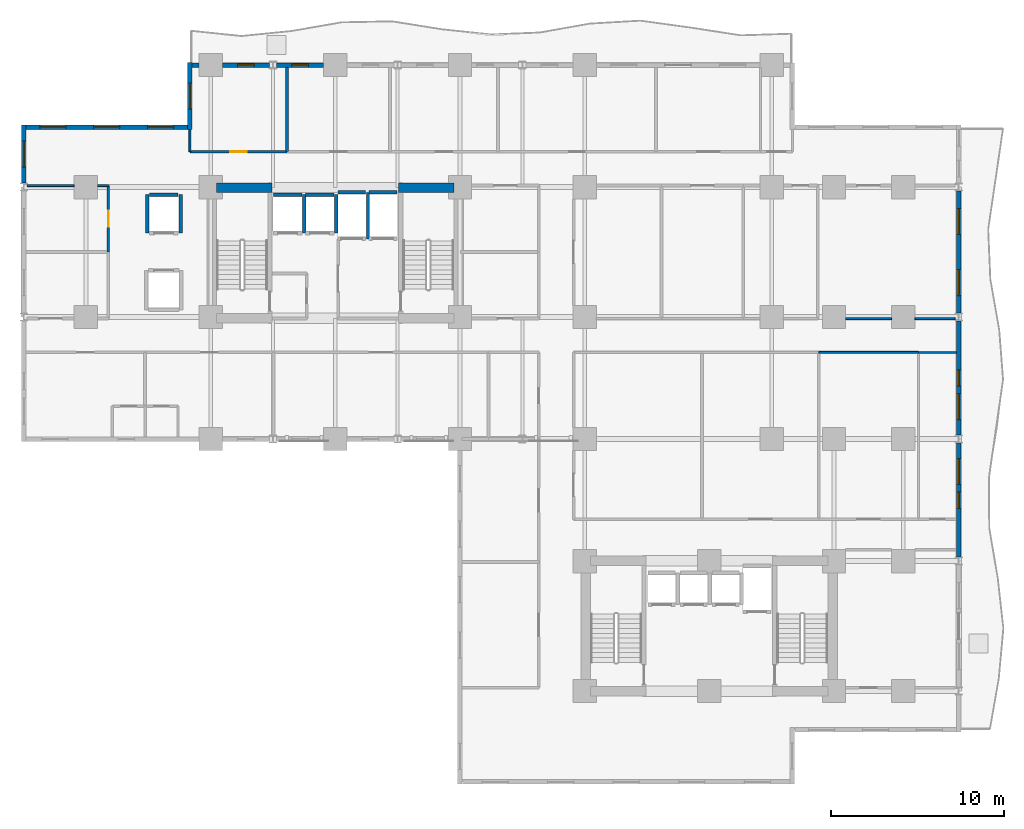
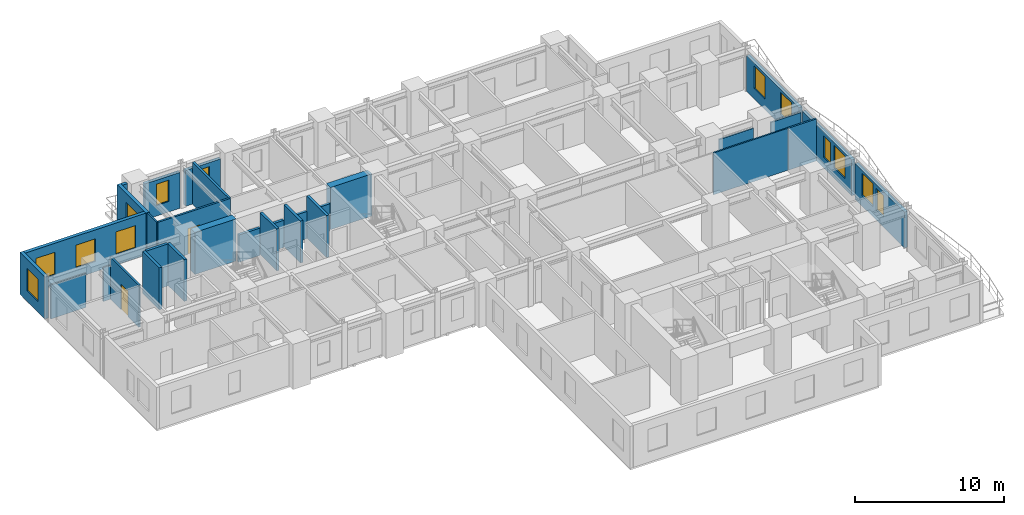
# One storey, part 6 of 11: 31 walls, 13 windows, 2 doors, 15 openings.
"""IFC4 building model written with IfcOpenShell, lengths in metres."""

from ifc_helpers import new_model, si_unit, direction, frame, frame_2d, origin, place, context, subcontext, project, spatial, rectangle, extrude, material, layer, layer_set, type_object, element, fill, save


model = new_model("IFC4")

# Units and contexts
model_context = context("Model", 3, precision=1e-05, world=origin(), true_north=direction((0.0, 1.0)))
body_context = subcontext(model_context, "Body", "Model", "MODEL_VIEW")
ifc_project = project(units=[si_unit("LENGTHUNIT", "METRE"), si_unit("AREAUNIT", "SQUARE_METRE"), si_unit("VOLUMEUNIT", "CUBIC_METRE"), si_unit("PLANEANGLEUNIT", "RADIAN"), si_unit("MASSUNIT", "GRAM", prefix="KILO")], contexts=[model_context])

# Site, building, storey
site_placement = place(None, origin())
site = spatial("IfcSite", under=ifc_project, at=site_placement, CompositionType="ELEMENT")
building_placement = place(site_placement, origin())
building = spatial("IfcBuilding", under=site, at=building_placement, Name="Kaliganga Portal Commons", CompositionType="ELEMENT")
storey_placement = place(building_placement, frame((0.0, 0.0, 51.199951171875)))
storey = spatial("IfcBuildingStorey", under=building, at=storey_placement, Name="L12", CompositionType="ELEMENT", Elevation=51.199951171875)

# Walls
ifc_material_1 = material(Name="Concrete C60/75", Category="concrete")
ifc_layer_1 = layer(ifc_material_1, 0.550048828125)
ifc_layer_set_1 = layer_set([ifc_layer_1], Name="Concrete C60/75")
wall_type_1 = type_object("IfcWallType", Name="WL-CORE-550", PredefinedType="SHEAR", material=ifc_layer_set_1)
for number, where, z_axis, x_axis, name in (
    (1, (14.75, 36.125, 0.0), (0.0, 0.0, 1.0), (1.0, 0.0, 0.0), "Core A N-West Shear Wall L12"),
    (2, (25.25, 36.125, 0.0), (0.0, 0.0, 1.0), (1.0, 0.0, 0.0), "Core A N-East Shear Wall L12"),
):
    element("IfcWall", number, at=place(storey_placement, frame(where, z_axis=z_axis, x_axis=x_axis)), inside=storey, type_object=wall_type_1, Name=name, PredefinedType="SHEAR", context=body_context, shape_type="SweptSolid", body=[
        extrude(rectangle(XDim=3.199951171875, YDim=0.550048828125, at=frame_2d((1.60009765625, 0.0))), origin(), (0.0, 0.0, 1.0), 3.449951171875),
    ])

# Wall, openings, windows
ifc_material_2 = material(Name="Insulated Aluminium-Clad Spandrel Assembly", Category="aluminium")
ifc_layer_2 = layer(ifc_material_2, 0.260009765625)
ifc_layer_set_2 = layer_set([ifc_layer_2], Name="Insulated Aluminium-Clad Spandrel Assembly")
wall_type_2 = type_object("IfcWallType", Name="WL-EXT-SPAND-260", PredefinedType="STANDARD", material=ifc_layer_set_2)
wall_1_placement = place(storey_placement, frame((57.60009765625, 21.3759765625, 0.0), z_axis=(0.0, 0.0, 1.0), x_axis=(0.0, -1.0, 0.0)))
wall_1 = element("IfcWall", 3, at=wall_1_placement, inside=storey, type_object=wall_type_2, Name="Exterior Envelope Wall L12 P1-E03-S3", PredefinedType="STANDARD", context=body_context, shape_type="SweptSolid", body=[
    extrude(rectangle(XDim=6.60205078125, YDim=0.260009765625, at=frame_2d((3.301025390625, 0.0))), origin(), (0.0, 0.0, 1.0), 2.929931640625),
])
opening_1_placement = place(wall_1_placement, frame((0.900390625, 0.0, 0.85009765625)))
opening_1 = element("IfcOpeningElement", 4, at=opening_1_placement, cuts=wall_1, Name="Opening W-02", PredefinedType="OPENING", context=body_context, shape_type="SweptSolid", body=[
    extrude(rectangle(XDim=1.5, YDim=1.85009765625, at=frame_2d((0.75, 0.925048828125))), frame((0.0, 0.14013671875, 0.0), z_axis=(0.0, -1.0, 0.0), x_axis=(1.0, 0.0, 0.0)), (0.0, 0.0, 1.0), 0.280029296875),
])
opening_2_placement = place(wall_1_placement, frame((2.825927734375, 0.0, 0.85009765625)))
opening_2 = element("IfcOpeningElement", 5, at=opening_2_placement, cuts=wall_1, Name="Opening W-04", PredefinedType="OPENING", context=body_context, shape_type="SweptSolid", body=[
    extrude(rectangle(XDim=0.949951171875, YDim=1.75, at=frame_2d((0.47509765625, 0.875))), frame((0.0, 0.14013671875, 0.0), z_axis=(0.0, -1.0, 0.0), x_axis=(1.0, 0.0, 0.0)), (0.0, 0.0, 1.0), 0.280029296875),
])
ifc_material_3 = material(Name="Thermally Broken Aluminium and Low-E Double Glazing", Category="aluminium")
window_type_1 = type_object("IfcWindowType", Name="WIN-NARROW-950", PartitioningType="SINGLE_PANEL", PredefinedType="WINDOW", material=ifc_material_3)
window_1_placement = place(opening_2_placement, origin())
window_1 = element("IfcWindow", 6, at=window_1_placement, inside=storey, type_object=window_type_1, Name="Facade Window L12-P1E03S3-N0", OverallHeight=1.75, OverallWidth=0.949951171875, PartitioningType="SINGLE_PANEL", PredefinedType="WINDOW", context=body_context, shape_type="SweptSolid", body=[
    extrude(rectangle(XDim=0.949951171875, YDim=1.75, at=frame_2d((0.47509765625, 0.875))), frame((0.0, 0.030029296875, 0.0), z_axis=(0.0, -1.0, 0.0), x_axis=(1.0, 0.0, 0.0)), (0.0, 0.0, 1.0), 0.06005859375),
])
fill(opening_2, window_1)
window_type_2 = type_object("IfcWindowType", Name="WIN-STD-1500", PartitioningType="DOUBLE_PANEL_VERTICAL", PredefinedType="WINDOW", material=ifc_material_3)
window_2_placement = place(opening_1_placement, origin())
window_2 = element("IfcWindow", 7, at=window_2_placement, inside=storey, type_object=window_type_2, Name="Facade Window L12-P1E03S3-00", OverallHeight=1.85009765625, OverallWidth=1.5, PartitioningType="SINGLE_PANEL", PredefinedType="WINDOW", context=body_context, shape_type="SweptSolid", body=[
    extrude(rectangle(XDim=1.5, YDim=1.85009765625, at=frame_2d((0.75, 0.925048828125))), frame((0.0, 0.030029296875, 0.0), z_axis=(0.0, -1.0, 0.0), x_axis=(1.0, 0.0, 0.0)), (0.0, 0.0, 1.0), 0.06005859375),
])
fill(opening_1, window_2)

wall_2_placement = place(storey_placement, frame((57.60009765625, 28.426025390625, 0.0), z_axis=(0.0, 0.0, 1.0), x_axis=(0.0, -1.0, 0.0)))
wall_2 = element("IfcWall", 8, at=wall_2_placement, inside=storey, type_object=wall_type_2, Name="Exterior Envelope Wall L12 P1-E03-S4", PredefinedType="STANDARD", context=body_context, shape_type="SweptSolid", body=[
    extrude(rectangle(XDim=6.60205078125, YDim=0.260009765625, at=frame_2d((3.301025390625, 0.0))), origin(), (0.0, 0.0, 1.0), 2.929931640625),
])
opening_3_placement = place(wall_2_placement, frame((4.201416015625, 0.0, 0.85009765625)))
opening_3 = element("IfcOpeningElement", 9, at=opening_3_placement, cuts=wall_2, Name="Opening W-02", PredefinedType="OPENING", context=body_context, shape_type="SweptSolid", body=[
    extrude(rectangle(XDim=1.5, YDim=1.85009765625, at=frame_2d((0.75, 0.925048828125))), frame((0.0, 0.14013671875, 0.0), z_axis=(0.0, -1.0, 0.0), x_axis=(1.0, 0.0, 0.0)), (0.0, 0.0, 1.0), 0.280029296875),
])
opening_4_placement = place(wall_2_placement, frame((2.825927734375, 0.0, 0.85009765625)))
opening_4 = element("IfcOpeningElement", 10, at=opening_4_placement, cuts=wall_2, Name="Opening W-04", PredefinedType="OPENING", context=body_context, shape_type="SweptSolid", body=[
    extrude(rectangle(XDim=0.949951171875, YDim=1.75, at=frame_2d((0.47509765625, 0.875))), frame((0.0, 0.14013671875, 0.0), z_axis=(0.0, -1.0, 0.0), x_axis=(1.0, 0.0, 0.0)), (0.0, 0.0, 1.0), 0.280029296875),
])
window_3_placement = place(opening_4_placement, origin())
window_3 = element("IfcWindow", 11, at=window_3_placement, inside=storey, type_object=window_type_1, Name="Facade Window L12-P1E03S4-N0", OverallHeight=1.75, OverallWidth=0.949951171875, PartitioningType="SINGLE_PANEL", PredefinedType="WINDOW", context=body_context, shape_type="SweptSolid", body=[
    extrude(rectangle(XDim=0.949951171875, YDim=1.75, at=frame_2d((0.47509765625, 0.875))), frame((0.0, 0.030029296875, 0.0), z_axis=(0.0, -1.0, 0.0), x_axis=(1.0, 0.0, 0.0)), (0.0, 0.0, 1.0), 0.06005859375),
])
fill(opening_4, window_3)
window_4_placement = place(opening_3_placement, origin())
window_4 = element("IfcWindow", 12, at=window_4_placement, inside=storey, type_object=window_type_2, Name="Facade Window L12-P1E03S4-01", OverallHeight=1.85009765625, OverallWidth=1.5, PartitioningType="SINGLE_PANEL", PredefinedType="WINDOW", context=body_context, shape_type="SweptSolid", body=[
    extrude(rectangle(XDim=1.5, YDim=1.85009765625, at=frame_2d((0.75, 0.925048828125))), frame((0.0, 0.030029296875, 0.0), z_axis=(0.0, -1.0, 0.0), x_axis=(1.0, 0.0, 0.0)), (0.0, 0.0, 1.0), 0.06005859375),
])
fill(opening_3, window_4)

wall_3_placement = place(storey_placement, frame((57.60009765625, 35.926025390625, 0.0), z_axis=(0.0, 0.0, 1.0), x_axis=(0.0, -1.0, 0.0)))
wall_3 = element("IfcWall", 13, at=wall_3_placement, inside=storey, type_object=wall_type_2, Name="Exterior Envelope Wall L12 P1-E03-S5", PredefinedType="STANDARD", context=body_context, shape_type="SweptSolid", body=[
    extrude(rectangle(XDim=7.052001953125, YDim=0.260009765625, at=frame_2d((3.52587890625, 0.0))), origin(), (0.0, 0.0, 1.0), 2.929931640625),
])
opening_5_placement = place(wall_3_placement, frame((1.012939453125, 0.0, 0.85009765625)))
opening_5 = element("IfcOpeningElement", 14, at=opening_5_placement, cuts=wall_3, Name="Opening W-02", PredefinedType="OPENING", context=body_context, shape_type="SweptSolid", body=[
    extrude(rectangle(XDim=1.5, YDim=1.85009765625, at=frame_2d((0.75, 0.925048828125))), frame((0.0, 0.14013671875, 0.0), z_axis=(0.0, -1.0, 0.0), x_axis=(1.0, 0.0, 0.0)), (0.0, 0.0, 1.0), 0.280029296875),
])
opening_6_placement = place(wall_3_placement, frame((4.5390625, 0.0, 0.85009765625)))
opening_6 = element("IfcOpeningElement", 15, at=opening_6_placement, cuts=wall_3, Name="Opening W-02", PredefinedType="OPENING", context=body_context, shape_type="SweptSolid", body=[
    extrude(rectangle(XDim=1.5, YDim=1.85009765625, at=frame_2d((0.75, 0.925048828125))), frame((0.0, 0.14013671875, 0.0), z_axis=(0.0, -1.0, 0.0), x_axis=(1.0, 0.0, 0.0)), (0.0, 0.0, 1.0), 0.280029296875),
])
window_5_placement = place(opening_5_placement, origin())
window_5 = element("IfcWindow", 16, at=window_5_placement, inside=storey, type_object=window_type_2, Name="Facade Window L12-P1E03S5-00", OverallHeight=1.85009765625, OverallWidth=1.5, PartitioningType="SINGLE_PANEL", PredefinedType="WINDOW", context=body_context, shape_type="SweptSolid", body=[
    extrude(rectangle(XDim=1.5, YDim=1.85009765625, at=frame_2d((0.75, 0.925048828125))), frame((0.0, 0.030029296875, 0.0), z_axis=(0.0, -1.0, 0.0), x_axis=(1.0, 0.0, 0.0)), (0.0, 0.0, 1.0), 0.06005859375),
])
fill(opening_5, window_5)
window_6_placement = place(opening_6_placement, origin())
window_6 = element("IfcWindow", 17, at=window_6_placement, inside=storey, type_object=window_type_2, Name="Facade Window L12-P1E03S5-01", OverallHeight=1.85009765625, OverallWidth=1.5, PartitioningType="SINGLE_PANEL", PredefinedType="WINDOW", context=body_context, shape_type="SweptSolid", body=[
    extrude(rectangle(XDim=1.5, YDim=1.85009765625, at=frame_2d((0.75, 0.925048828125))), frame((0.0, 0.030029296875, 0.0), z_axis=(0.0, -1.0, 0.0), x_axis=(1.0, 0.0, 0.0)), (0.0, 0.0, 1.0), 0.06005859375),
])
fill(opening_6, window_6)

# Wall, opening, window
wall_4_placement = place(storey_placement, frame((18.208984375, 43.199951171875, 0.0), z_axis=(0.0, 0.0, 1.0), x_axis=(1.0, 0.0, 0.0)))
wall_4 = element("IfcWall", 18, at=wall_4_placement, inside=storey, type_object=wall_type_2, Name="Exterior Envelope Wall L12 P1-E06-S7", PredefinedType="STANDARD", context=body_context, shape_type="SweptSolid", body=[
    extrude(rectangle(XDim=2.715087890625, YDim=0.260009765625, at=frame_2d((1.357421875, 0.0))), origin(), (0.0, 0.0, 1.0), 2.929931640625),
])
opening_7_placement = place(wall_4_placement, frame((0.882568359375, 0.0, 0.85009765625)))
opening_7 = element("IfcOpeningElement", 19, at=opening_7_placement, cuts=wall_4, Name="Opening W-04", PredefinedType="OPENING", context=body_context, shape_type="SweptSolid", body=[
    extrude(rectangle(XDim=0.949951171875, YDim=1.75, at=frame_2d((0.47509765625, 0.875))), frame((0.0, 0.14013671875, 0.0), z_axis=(0.0, -1.0, 0.0), x_axis=(1.0, 0.0, 0.0)), (0.0, 0.0, 1.0), 0.280029296875),
])
window_7_placement = place(opening_7_placement, origin())
window_7 = element("IfcWindow", 20, at=window_7_placement, inside=storey, type_object=window_type_1, Name="Facade Window L12-P1E06S7-00", OverallHeight=1.75, OverallWidth=0.949951171875, PartitioningType="SINGLE_PANEL", PredefinedType="WINDOW", context=body_context, shape_type="SweptSolid", body=[
    extrude(rectangle(XDim=0.949951171875, YDim=1.75, at=frame_2d((0.47509765625, 0.875))), frame((0.0, 0.030029296875, 0.0), z_axis=(0.0, -1.0, 0.0), x_axis=(1.0, 0.0, 0.0)), (0.0, 0.0, 1.0), 0.06005859375),
])
fill(opening_7, window_7)

wall_5_placement = place(storey_placement, frame((15.075927734375, 43.199951171875, 0.0), z_axis=(0.0, 0.0, 1.0), x_axis=(1.0, 0.0, 0.0)))
wall_5 = element("IfcWall", 21, at=wall_5_placement, inside=storey, type_object=wall_type_2, Name="Exterior Envelope Wall L12 P1-E06-S8", PredefinedType="STANDARD", context=body_context, shape_type="SweptSolid", body=[
    extrude(rectangle(XDim=2.715087890625, YDim=0.260009765625, at=frame_2d((1.357421875, 0.0))), origin(), (0.0, 0.0, 1.0), 2.929931640625),
])
opening_8_placement = place(wall_5_placement, frame((0.882568359375, 0.0, 0.85009765625)))
opening_8 = element("IfcOpeningElement", 22, at=opening_8_placement, cuts=wall_5, Name="Opening W-04", PredefinedType="OPENING", context=body_context, shape_type="SweptSolid", body=[
    extrude(rectangle(XDim=0.949951171875, YDim=1.75, at=frame_2d((0.47509765625, 0.875))), frame((0.0, 0.14013671875, 0.0), z_axis=(0.0, -1.0, 0.0), x_axis=(1.0, 0.0, 0.0)), (0.0, 0.0, 1.0), 0.280029296875),
])
window_8_placement = place(opening_8_placement, origin())
window_8 = element("IfcWindow", 23, at=window_8_placement, inside=storey, type_object=window_type_1, Name="Facade Window L12-P1E06S8-00", OverallHeight=1.75, OverallWidth=0.949951171875, PartitioningType="SINGLE_PANEL", PredefinedType="WINDOW", context=body_context, shape_type="SweptSolid", body=[
    extrude(rectangle(XDim=0.949951171875, YDim=1.75, at=frame_2d((0.47509765625, 0.875))), frame((0.0, 0.030029296875, 0.0), z_axis=(0.0, -1.0, 0.0), x_axis=(1.0, 0.0, 0.0)), (0.0, 0.0, 1.0), 0.06005859375),
])
fill(opening_8, window_8)

# Wall
wall_6_placement = place(storey_placement, frame((13.3349609375, 43.199951171875, 0.0), z_axis=(0.0, 0.0, 1.0), x_axis=(1.0, 0.0, 0.0)))
element("IfcWall", 24, at=wall_6_placement, inside=storey, type_object=wall_type_2, Name="Exterior Envelope Wall L12 P1-E06-S9", PredefinedType="STANDARD", context=body_context, shape_type="SweptSolid", body=[
    extrude(rectangle(XDim=0.38916015625, YDim=0.260009765625, at=frame_2d((0.194580078125, 0.0))), origin(), (0.0, 0.0, 1.0), 3.429931640625),
])

# Wall, opening, window
wall_7_placement = place(storey_placement, frame((13.199951171875, 39.469970703125, 0.0), z_axis=(0.0, 0.0, 1.0), x_axis=(0.0, 1.0, 0.0)))
wall_7 = element("IfcWall", 25, at=wall_7_placement, inside=storey, type_object=wall_type_2, Name="Exterior Envelope Wall L12 P1-E07-S1", PredefinedType="STANDARD", context=body_context, shape_type="SweptSolid", body=[
    extrude(rectangle(XDim=3.860107421875, YDim=0.260009765625, at=frame_2d((1.93017578125, 0.0))), origin(), (0.0, 0.0, 1.0), 3.429931640625),
])
opening_9_placement = place(wall_7_placement, frame((1.179931640625, 0.0, 0.85009765625)))
opening_9 = element("IfcOpeningElement", 26, at=opening_9_placement, cuts=wall_7, Name="Opening W-02", PredefinedType="OPENING", context=body_context, shape_type="SweptSolid", body=[
    extrude(rectangle(XDim=1.5, YDim=1.85009765625, at=frame_2d((0.75, 0.925048828125))), frame((0.0, 0.14013671875, 0.0), z_axis=(0.0, -1.0, 0.0), x_axis=(1.0, 0.0, 0.0)), (0.0, 0.0, 1.0), 0.280029296875),
])
window_9_placement = place(opening_9_placement, origin())
window_9 = element("IfcWindow", 27, at=window_9_placement, inside=storey, type_object=window_type_2, Name="Facade Window L12-P1E07S1-00", OverallHeight=1.85009765625, OverallWidth=1.5, PartitioningType="SINGLE_PANEL", PredefinedType="WINDOW", context=body_context, shape_type="SweptSolid", body=[
    extrude(rectangle(XDim=1.5, YDim=1.85009765625, at=frame_2d((0.75, 0.925048828125))), frame((0.0, 0.030029296875, 0.0), z_axis=(0.0, -1.0, 0.0), x_axis=(1.0, 0.0, 0.0)), (0.0, 0.0, 1.0), 0.06005859375),
])
fill(opening_9, window_9)

# Wall, openings, windows
wall_8_placement = place(storey_placement, frame((3.735107421875, 39.60009765625, 0.0), z_axis=(0.0, 0.0, 1.0), x_axis=(1.0, 0.0, 0.0)))
wall_8 = element("IfcWall", 28, at=wall_8_placement, inside=storey, type_object=wall_type_2, Name="Exterior Envelope Wall L12 P1-E08-S1", PredefinedType="STANDARD", context=body_context, shape_type="SweptSolid", body=[
    extrude(rectangle(XDim=9.329833984375, YDim=0.260009765625, at=frame_2d((4.6650390625, 0.0))), origin(), (0.0, 0.0, 1.0), 3.429931640625),
])
opening_10_placement = place(wall_8_placement, frame((0.804931640625, 0.0, 0.85009765625)))
opening_10 = element("IfcOpeningElement", 29, at=opening_10_placement, cuts=wall_8, Name="Opening W-02", PredefinedType="OPENING", context=body_context, shape_type="SweptSolid", body=[
    extrude(rectangle(XDim=1.5, YDim=1.85009765625, at=frame_2d((0.75, 0.925048828125))), frame((0.0, 0.14013671875, 0.0), z_axis=(0.0, -1.0, 0.0), x_axis=(1.0, 0.0, 0.0)), (0.0, 0.0, 1.0), 0.280029296875),
])
opening_11_placement = place(wall_8_placement, frame((3.9150390625, 0.0, 0.85009765625)))
opening_11 = element("IfcOpeningElement", 30, at=opening_11_placement, cuts=wall_8, Name="Opening W-02", PredefinedType="OPENING", context=body_context, shape_type="SweptSolid", body=[
    extrude(rectangle(XDim=1.5, YDim=1.85009765625, at=frame_2d((0.75, 0.925048828125))), frame((0.0, 0.14013671875, 0.0), z_axis=(0.0, -1.0, 0.0), x_axis=(1.0, 0.0, 0.0)), (0.0, 0.0, 1.0), 0.280029296875),
])
opening_12_placement = place(wall_8_placement, frame((7.02490234375, 0.0, 0.85009765625)))
opening_12 = element("IfcOpeningElement", 31, at=opening_12_placement, cuts=wall_8, Name="Opening W-02", PredefinedType="OPENING", context=body_context, shape_type="SweptSolid", body=[
    extrude(rectangle(XDim=1.5, YDim=1.85009765625, at=frame_2d((0.75, 0.925048828125))), frame((0.0, 0.14013671875, 0.0), z_axis=(0.0, -1.0, 0.0), x_axis=(1.0, 0.0, 0.0)), (0.0, 0.0, 1.0), 0.280029296875),
])
window_10_placement = place(opening_10_placement, origin())
window_10 = element("IfcWindow", 32, at=window_10_placement, inside=storey, type_object=window_type_2, Name="Facade Window L12-P1E08S1-00", OverallHeight=1.85009765625, OverallWidth=1.5, PartitioningType="SINGLE_PANEL", PredefinedType="WINDOW", context=body_context, shape_type="SweptSolid", body=[
    extrude(rectangle(XDim=1.5, YDim=1.85009765625, at=frame_2d((0.75, 0.925048828125))), frame((0.0, 0.030029296875, 0.0), z_axis=(0.0, -1.0, 0.0), x_axis=(1.0, 0.0, 0.0)), (0.0, 0.0, 1.0), 0.06005859375),
])
fill(opening_10, window_10)
window_11_placement = place(opening_11_placement, origin())
window_11 = element("IfcWindow", 33, at=window_11_placement, inside=storey, type_object=window_type_2, Name="Facade Window L12-P1E08S1-01", OverallHeight=1.85009765625, OverallWidth=1.5, PartitioningType="SINGLE_PANEL", PredefinedType="WINDOW", context=body_context, shape_type="SweptSolid", body=[
    extrude(rectangle(XDim=1.5, YDim=1.85009765625, at=frame_2d((0.75, 0.925048828125))), frame((0.0, 0.030029296875, 0.0), z_axis=(0.0, -1.0, 0.0), x_axis=(1.0, 0.0, 0.0)), (0.0, 0.0, 1.0), 0.06005859375),
])
fill(opening_11, window_11)
window_12_placement = place(opening_12_placement, origin())
window_12 = element("IfcWindow", 34, at=window_12_placement, inside=storey, type_object=window_type_2, Name="Facade Window L12-P1E08S1-02", OverallHeight=1.85009765625, OverallWidth=1.5, PartitioningType="SINGLE_PANEL", PredefinedType="WINDOW", context=body_context, shape_type="SweptSolid", body=[
    extrude(rectangle(XDim=1.5, YDim=1.85009765625, at=frame_2d((0.75, 0.925048828125))), frame((0.0, 0.030029296875, 0.0), z_axis=(0.0, -1.0, 0.0), x_axis=(1.0, 0.0, 0.0)), (0.0, 0.0, 1.0), 0.06005859375),
])
fill(opening_12, window_12)

# Wall, opening, window
wall_9_placement = place(storey_placement, frame((3.60009765625, 36.3740234375, 0.0), z_axis=(0.0, 0.0, 1.0), x_axis=(0.0, 1.0, 0.0)))
wall_9 = element("IfcWall", 35, at=wall_9_placement, inside=storey, type_object=wall_type_2, Name="Exterior Envelope Wall L12 P1-E09-S1", PredefinedType="STANDARD", context=body_context, shape_type="SweptSolid", body=[
    extrude(rectangle(XDim=3.35595703125, YDim=0.260009765625, at=frame_2d((1.677978515625, 0.0))), origin(), (0.0, 0.0, 1.0), 3.429931640625),
])
opening_13_placement = place(wall_9_placement, frame((0.927978515625, 0.0, 0.85009765625)))
opening_13 = element("IfcOpeningElement", 36, at=opening_13_placement, cuts=wall_9, Name="Opening W-02", PredefinedType="OPENING", context=body_context, shape_type="SweptSolid", body=[
    extrude(rectangle(XDim=1.5, YDim=1.85009765625, at=frame_2d((0.75, 0.925048828125))), frame((0.0, 0.14013671875, 0.0), z_axis=(0.0, -1.0, 0.0), x_axis=(1.0, 0.0, 0.0)), (0.0, 0.0, 1.0), 0.280029296875),
])
window_13_placement = place(opening_13_placement, origin())
window_13 = element("IfcWindow", 37, at=window_13_placement, inside=storey, type_object=window_type_2, Name="Facade Window L12-P1E09S1-00", OverallHeight=1.85009765625, OverallWidth=1.5, PartitioningType="SINGLE_PANEL", PredefinedType="WINDOW", context=body_context, shape_type="SweptSolid", body=[
    extrude(rectangle(XDim=1.5, YDim=1.85009765625, at=frame_2d((0.75, 0.925048828125))), frame((0.0, 0.030029296875, 0.0), z_axis=(0.0, -1.0, 0.0), x_axis=(1.0, 0.0, 0.0)), (0.0, 0.0, 1.0), 0.06005859375),
])
fill(opening_13, window_13)

# Wall, opening, door
ifc_material_4 = material(Name="Fire-Rated Gypsum Board on Steel Stud", Category="steel")
ifc_layer_3 = layer(ifc_material_4, 0.14990234375)
ifc_layer_set_3 = layer_set([ifc_layer_3], Name="Fire-Rated Gypsum Board on Steel Stud")
wall_type_3 = type_object("IfcWallType", Name="WL-PART-CORR-150", PredefinedType="PARTITIONING", material=ifc_layer_set_3)
wall_10_placement = place(storey_placement, frame((13.199951171875, 38.199951171875, 0.0), z_axis=(0.0, 0.0, 1.0), x_axis=(1.0, 0.0, 0.0)))
wall_10 = element("IfcWall", 38, at=wall_10_placement, inside=storey, type_object=wall_type_3, Name="Interior Partition L12-027", PredefinedType="PARTITIONING", context=body_context, shape_type="SweptSolid", body=[
    extrude(rectangle(XDim=5.6201171875, YDim=0.14990234375, at=frame_2d((2.81005859375, 0.0))), origin(), (0.0, 0.0, 1.0), 3.429931640625),
])
opening_14_placement = place(wall_10_placement, frame((2.3349609375, 0.0, 0.0)))
opening_14 = element("IfcOpeningElement", 39, at=opening_14_placement, cuts=wall_10, Name="Opening UD-01", PredefinedType="OPENING", context=body_context, shape_type="SweptSolid", body=[
    extrude(rectangle(XDim=0.949951171875, YDim=2.10009765625, at=frame_2d((0.47509765625, 1.050048828125))), frame((0.0, 0.0849609375, 0.0), z_axis=(0.0, -1.0, 0.0), x_axis=(1.0, 0.0, 0.0)), (0.0, 0.0, 1.0), 0.169921875),
])
ifc_material_5 = material(Name="Solid-Core Timber Acoustic Fire Door", Category="wood")
door_type = type_object("IfcDoorType", Name="DR-UNIT-950", OperationType="NOTDEFINED", PredefinedType="DOOR", material=ifc_material_5)
door_1_placement = place(opening_14_placement, origin())
door_1 = element("IfcDoor", 40, at=door_1_placement, inside=storey, type_object=door_type, Name="Interior Door L12-AN01", OperationType="SINGLE_SWING_LEFT", OverallHeight=2.10009765625, OverallWidth=0.949951171875, PredefinedType="DOOR", context=body_context, shape_type="SweptSolid", body=[
    extrude(rectangle(XDim=0.949951171875, YDim=2.10009765625, at=frame_2d((0.47509765625, 1.050048828125))), frame((0.0, 0.02490234375, 0.0), z_axis=(0.0, -1.0, 0.0), x_axis=(1.0, 0.0, 0.0)), (0.0, 0.0, 1.0), 0.050048828125),
])
fill(opening_14, door_1)

wall_11_placement = place(storey_placement, frame((8.5, 32.39990234375, 0.0), z_axis=(0.0, 0.0, 1.0), x_axis=(0.0, 1.0, 0.0)))
wall_11 = element("IfcWall", 41, at=wall_11_placement, inside=storey, type_object=wall_type_3, Name="Interior Partition L12-038", PredefinedType="PARTITIONING", context=body_context, shape_type="SweptSolid", body=[
    extrude(rectangle(XDim=3.840087890625, YDim=0.14990234375, at=frame_2d((1.919921875, 0.0))), origin(), (0.0, 0.0, 1.0), 3.429931640625),
])
opening_15_placement = place(wall_11_placement, frame((1.445068359375, 0.0, 0.0)))
opening_15 = element("IfcOpeningElement", 42, at=opening_15_placement, cuts=wall_11, Name="Opening UD-01", PredefinedType="OPENING", context=body_context, shape_type="SweptSolid", body=[
    extrude(rectangle(XDim=0.949951171875, YDim=2.10009765625, at=frame_2d((0.47509765625, 1.050048828125))), frame((0.0, 0.0849609375, 0.0), z_axis=(0.0, -1.0, 0.0), x_axis=(1.0, 0.0, 0.0)), (0.0, 0.0, 1.0), 0.169921875),
])
door_2_placement = place(opening_15_placement, origin())
door_2 = element("IfcDoor", 43, at=door_2_placement, inside=storey, type_object=door_type, Name="Interior Door L12-AW02", OperationType="SINGLE_SWING_LEFT", OverallHeight=2.10009765625, OverallWidth=0.949951171875, PredefinedType="DOOR", context=body_context, shape_type="SweptSolid", body=[
    extrude(rectangle(XDim=0.949951171875, YDim=2.10009765625, at=frame_2d((0.47509765625, 1.050048828125))), frame((0.0, 0.02490234375, 0.0), z_axis=(0.0, -1.0, 0.0), x_axis=(1.0, 0.0, 0.0)), (0.0, 0.0, 1.0), 0.050048828125),
])
fill(opening_15, door_2)

# Walls
ifc_material_6 = material(Name="Moisture-Resistant Gypsum Partition", Category="gypsum")
ifc_layer_4 = layer(ifc_material_6, 0.114990234375)
ifc_layer_set_4 = layer_set([ifc_layer_4], Name="Moisture-Resistant Gypsum Partition")
wall_type_4 = type_object("IfcWallType", Name="WL-PART-ROOM-115", PredefinedType="PARTITIONING", material=ifc_layer_set_4)
wall_12_placement = place(storey_placement, frame((51.074951171875, 28.56005859375, 0.0), z_axis=(0.0, 0.0, 1.0), x_axis=(1.0, 0.0, 0.0)))
element("IfcWall", 44, at=wall_12_placement, inside=storey, type_object=wall_type_4, Name="Interior Partition L12-051", PredefinedType="PARTITIONING", context=body_context, shape_type="SweptSolid", body=[
    extrude(rectangle(XDim=2.650146484375, YDim=0.114990234375, at=frame_2d((1.3251953125, 0.0))), origin(), (0.0, 0.0, 1.0), 2.780029296875),
])
wall_13_placement = place(storey_placement, frame((55.074951171875, 28.56005859375, 0.0), z_axis=(0.0, 0.0, 1.0), x_axis=(1.0, 0.0, 0.0)))
element("IfcWall", 45, at=wall_13_placement, inside=storey, type_object=wall_type_4, Name="Interior Partition L12-052", PredefinedType="PARTITIONING", context=body_context, shape_type="SweptSolid", body=[
    extrude(rectangle(XDim=2.317138671875, YDim=0.114990234375, at=frame_2d((1.15869140625, 0.0))), origin(), (0.0, 0.0, 1.0), 2.780029296875),
])
wall_14_placement = place(storey_placement, frame((49.52001953125, 26.60009765625, 0.0), z_axis=(0.0, 0.0, 1.0), x_axis=(1.0, 0.0, 0.0)))
element("IfcWall", 46, at=wall_14_placement, inside=storey, type_object=wall_type_4, Name="Interior Partition L12-058", PredefinedType="PARTITIONING", context=body_context, shape_type="SweptSolid", body=[
    extrude(rectangle(XDim=5.760009765625, YDim=0.114990234375, at=frame_2d((2.8798828125, 0.0))), origin(), (0.0, 0.0, 1.0), 3.429931640625),
])
wall_15_placement = place(storey_placement, frame((13.199951171875, 38.199951171875, 0.0), z_axis=(0.0, 0.0, 1.0), x_axis=(0.0, 1.0, 0.0)))
element("IfcWall", 47, at=wall_15_placement, inside=storey, type_object=wall_type_4, Name="Interior Partition L12-060", PredefinedType="PARTITIONING", context=body_context, shape_type="SweptSolid", body=[
    extrude(rectangle(XDim=1.26806640625, YDim=0.114990234375, at=frame_2d((0.634033203125, 0.0))), origin(), (0.0, 0.0, 1.0), 3.429931640625),
])
wall_16_placement = place(storey_placement, frame((3.80810546875, 36.239990234375, 0.0), z_axis=(0.0, 0.0, 1.0), x_axis=(1.0, 0.0, 0.0)))
element("IfcWall", 48, at=wall_16_placement, inside=storey, type_object=wall_type_4, Name="Interior Partition L12-070", PredefinedType="PARTITIONING", context=body_context, shape_type="SweptSolid", body=[
    extrude(rectangle(XDim=2.716796875, YDim=0.114990234375, at=frame_2d((1.3583984375, 0.0))), origin(), (0.0, 0.0, 1.0), 2.780029296875),
])
wall_17_placement = place(storey_placement, frame((7.875, 36.239990234375, 0.0), z_axis=(0.0, 0.0, 1.0), x_axis=(1.0, 0.0, 0.0)))
element("IfcWall", 49, at=wall_17_placement, inside=storey, type_object=wall_type_4, Name="Interior Partition L12-071", PredefinedType="PARTITIONING", context=body_context, shape_type="SweptSolid", body=[
    extrude(rectangle(XDim=0.625, YDim=0.114990234375, at=frame_2d((0.3125, 0.0))), origin(), (0.0, 0.0, 1.0), 2.780029296875),
])
ifc_material_7 = material(Name="Twin-Stud Acoustic Gypsum Partition", Category="gypsum")
ifc_layer_5 = layer(ifc_material_7, 0.1650390625)
ifc_layer_set_5 = layer_set([ifc_layer_5], Name="Twin-Stud Acoustic Gypsum Partition")
wall_type_5 = type_object("IfcWallType", Name="WL-PART-UNIT-165", PredefinedType="PARTITIONING", material=ifc_layer_set_5)
wall_18_placement = place(storey_placement, frame((18.820068359375, 38.199951171875, 0.0), z_axis=(0.0, 0.0, 1.0), x_axis=(0.0, 1.0, 0.0)))
element("IfcWall", 50, at=wall_18_placement, inside=storey, type_object=wall_type_5, Name="Interior Partition L12-062", PredefinedType="PARTITIONING", context=body_context, shape_type="SweptSolid", body=[
    extrude(rectangle(XDim=4.8681640625, YDim=0.1650390625, at=frame_2d((2.43408203125, 0.0))), origin(), (0.0, 0.0, 1.0), 3.429931640625),
])
ifc_material_8 = material(Name="Cement-Board Wet-Room Partition", Category="gypsum")
ifc_layer_6 = layer(ifc_material_8, 0.135009765625)
ifc_layer_set_6 = layer_set([ifc_layer_6], Name="Cement-Board Wet-Room Partition")
wall_type_6 = type_object("IfcWallType", Name="WL-PART-WET-135", PredefinedType="PARTITIONING", material=ifc_layer_set_6)
wall_19_placement = place(storey_placement, frame((55.280029296875, 26.60009765625, 0.0), z_axis=(0.0, 0.0, 1.0), x_axis=(1.0, 0.0, 0.0)))
element("IfcWall", 51, at=wall_19_placement, inside=storey, type_object=wall_type_6, Name="Interior Partition L12-081", PredefinedType="PARTITIONING", context=body_context, shape_type="SweptSolid", body=[
    extrude(rectangle(XDim=2.18798828125, YDim=0.135009765625, at=frame_2d((1.093994140625, 0.0))), origin(), (0.0, 0.0, 1.0), 3.429931640625),
])
ifc_material_9 = material(Name="Fire-Rated Shaftwall Masonry Assembly", Category="masonry")
ifc_layer_7 = layer(ifc_material_9, 0.199951171875)
ifc_layer_set_7 = layer_set([ifc_layer_7], Name="Fire-Rated Shaftwall Masonry Assembly")
wall_type_7 = type_object("IfcWallType", Name="WL-SHAFT-200", PredefinedType="PARTITIONING", material=ifc_layer_set_7)
wall_20_placement = place(storey_placement, frame((18.02490234375, 35.715087890625, 0.0), z_axis=(0.0, 0.0, 1.0), x_axis=(1.0, 0.0, 0.0)))
element("IfcWall", 52, at=wall_20_placement, inside=storey, type_object=wall_type_7, Name="Lift PL-A1 Hoistway Shaft Wall L12-N", PredefinedType="PARTITIONING", context=body_context, shape_type="SweptSolid", body=[
    extrude(rectangle(XDim=1.650146484375, YDim=0.199951171875, at=frame_2d((0.8251953125, 0.0))), origin(), (0.0, 0.0, 1.0), 2.22998046875),
])
wall_21_placement = place(storey_placement, frame((19.81494140625, 33.485107421875, 0.0), z_axis=(0.0, 0.0, 1.0), x_axis=(0.0, 1.0, 0.0)))
element("IfcWall", 53, at=wall_21_placement, inside=storey, type_object=wall_type_7, Name="Lift PL-A1 Hoistway Shaft Wall L12-E", PredefinedType="PARTITIONING", context=body_context, shape_type="SweptSolid", body=[
    extrude(rectangle(XDim=2.22998046875, YDim=0.199951171875, at=frame_2d((1.114990234375, 0.0))), origin(), (0.0, 0.0, 1.0), 3.429931640625),
])
wall_22_placement = place(storey_placement, frame((19.875, 35.715087890625, 0.0), z_axis=(0.0, 0.0, 1.0), x_axis=(1.0, 0.0, 0.0)))
element("IfcWall", 54, at=wall_22_placement, inside=storey, type_object=wall_type_7, Name="Lift PL-A2 Hoistway Shaft Wall L12-N", PredefinedType="PARTITIONING", context=body_context, shape_type="SweptSolid", body=[
    extrude(rectangle(XDim=1.64990234375, YDim=0.199951171875, at=frame_2d((0.824951171875, 0.0))), origin(), (0.0, 0.0, 1.0), 2.22998046875),
])
wall_23_placement = place(storey_placement, frame((21.6650390625, 33.485107421875, 0.0), z_axis=(0.0, 0.0, 1.0), x_axis=(0.0, 1.0, 0.0)))
element("IfcWall", 55, at=wall_23_placement, inside=storey, type_object=wall_type_7, Name="Lift PL-A2 Hoistway Shaft Wall L12-E", PredefinedType="PARTITIONING", context=body_context, shape_type="SweptSolid", body=[
    extrude(rectangle(XDim=2.22998046875, YDim=0.199951171875, at=frame_2d((1.114990234375, 0.0))), origin(), (0.0, 0.0, 1.0), 3.429931640625),
])
wall_24_placement = place(storey_placement, frame((10.875, 35.715087890625, 0.0), z_axis=(0.0, 0.0, 1.0), x_axis=(1.0, 0.0, 0.0)))
element("IfcWall", 56, at=wall_24_placement, inside=storey, type_object=wall_type_7, Name="Lift PL-OBS Hoistway Shaft Wall L12-N", PredefinedType="PARTITIONING", context=body_context, shape_type="SweptSolid", body=[
    extrude(rectangle(XDim=1.64990234375, YDim=0.199951171875, at=frame_2d((0.824951171875, 0.0))), origin(), (0.0, 0.0, 1.0), 3.429931640625),
])
for number, where, z_axis, x_axis, name in (
    (57, (10.735107421875, 33.485107421875, 0.0), (0.0, 0.0, 1.0), (0.0, 1.0, 0.0), "Lift PL-OBS Hoistway Shaft Wall L12-W"),
    (58, (12.6650390625, 33.485107421875, 0.0), (0.0, 0.0, 1.0), (0.0, 1.0, 0.0), "Lift PL-OBS Hoistway Shaft Wall L12-E"),
):
    element("IfcWall", number, at=place(storey_placement, frame(where, z_axis=z_axis, x_axis=x_axis)), inside=storey, type_object=wall_type_7, Name=name, PredefinedType="PARTITIONING", context=body_context, shape_type="SweptSolid", body=[
        extrude(rectangle(XDim=2.22998046875, YDim=0.199951171875, at=frame_2d((1.114990234375, 0.0))), origin(), (0.0, 0.0, 1.0), 3.429931640625),
    ])
wall_25_placement = place(storey_placement, frame((21.75, 35.840087890625, 0.0), z_axis=(0.0, 0.0, 1.0), x_axis=(1.0, 0.0, 0.0)))
element("IfcWall", 59, at=wall_25_placement, inside=storey, type_object=wall_type_7, Name="Lift FFL-1 Hoistway Shaft Wall L12-N", PredefinedType="PARTITIONING", context=body_context, shape_type="SweptSolid", body=[
    extrude(rectangle(XDim=1.60009765625, YDim=0.199951171875, at=frame_2d((0.800048828125, 0.0))), origin(), (0.0, 0.0, 1.0), 2.22998046875),
])
wall_26_placement = place(storey_placement, frame((23.489990234375, 33.159912109375, 0.0), z_axis=(0.0, 0.0, 1.0), x_axis=(0.0, 1.0, 0.0)))
element("IfcWall", 60, at=wall_26_placement, inside=storey, type_object=wall_type_7, Name="Lift FFL-1 Hoistway Shaft Wall L12-E", PredefinedType="PARTITIONING", context=body_context, shape_type="SweptSolid", body=[
    extrude(rectangle(XDim=2.68017578125, YDim=0.199951171875, at=frame_2d((1.340087890625, 0.0))), origin(), (0.0, 0.0, 1.0), 3.429931640625),
])
wall_27_placement = place(storey_placement, frame((23.550048828125, 35.840087890625, 0.0), z_axis=(0.0, 0.0, 1.0), x_axis=(1.0, 0.0, 0.0)))
element("IfcWall", 61, at=wall_27_placement, inside=storey, type_object=wall_type_7, Name="Lift FFL-2 Hoistway Shaft Wall L12-N", PredefinedType="PARTITIONING", context=body_context, shape_type="SweptSolid", body=[
    extrude(rectangle(XDim=1.599853515625, YDim=0.199951171875, at=frame_2d((0.7998046875, 0.0))), origin(), (0.0, 0.0, 1.0), 2.22998046875),
])

save(model, "model.ifc")
